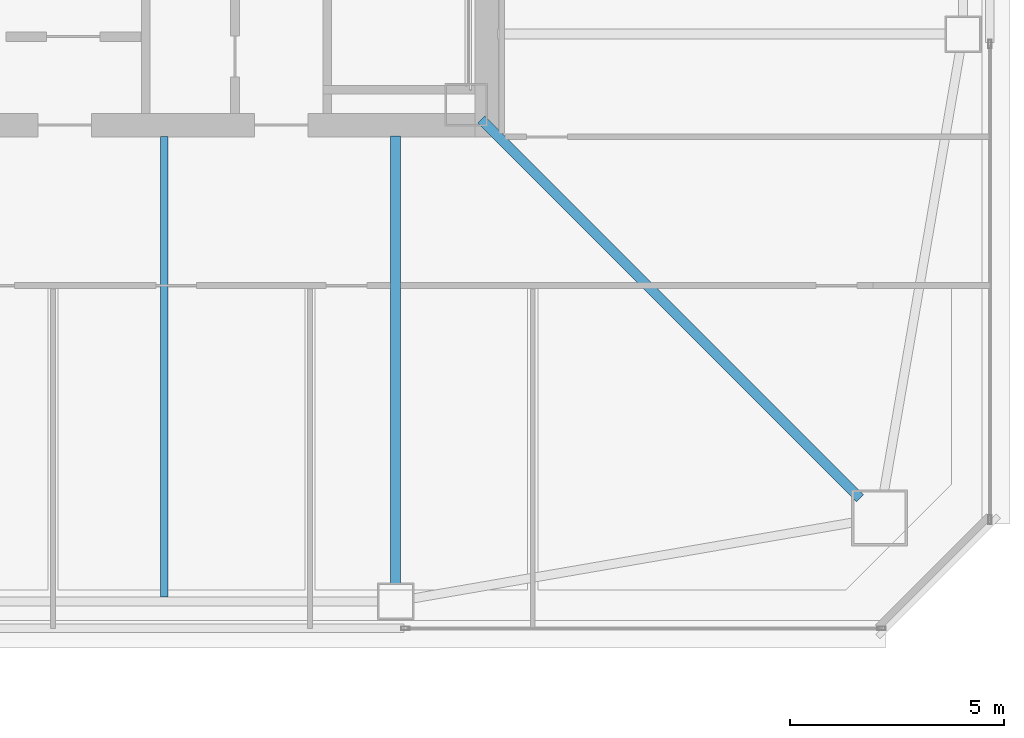
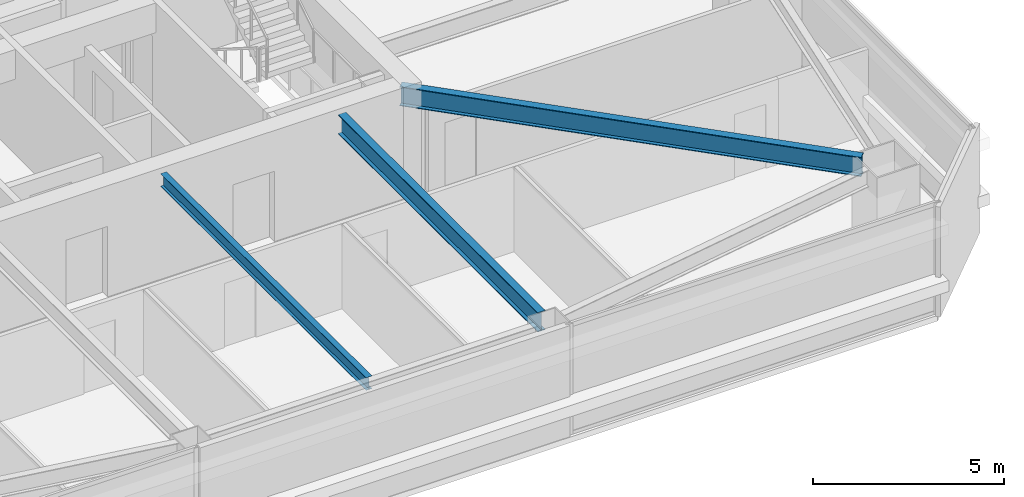
# One storey, part 6 of 41: 3 beams.
"""IFC4 building model written with IfcOpenShell, lengths in metres."""

from ifc_helpers import new_model, si_unit, direction, frame, origin, origin_2d, place, context, subcontext, project, spatial, i_section, extrude, material, material_profile, profile_set, type_object, element, save


model = new_model("IFC4")

# Units and contexts
model_context = context("Model", 3, precision=1e-05, world=origin(), true_north=direction((0.0, 1.0)))
body_context = subcontext(model_context, "Body", "Model", "MODEL_VIEW")
ifc_project = project(units=[si_unit("LENGTHUNIT", "METRE"), si_unit("AREAUNIT", "SQUARE_METRE"), si_unit("VOLUMEUNIT", "CUBIC_METRE"), si_unit("PLANEANGLEUNIT", "RADIAN"), si_unit("MASSUNIT", "GRAM", prefix="KILO")], contexts=[model_context])

# Site, building, storey
site_placement = place(None, origin())
site = spatial("IfcSite", under=ifc_project, at=site_placement, CompositionType="ELEMENT")
building_placement = place(site_placement, origin())
building = spatial("IfcBuilding", under=site, at=building_placement, Name="Tashvorn Skyway Center", CompositionType="ELEMENT")
storey_placement = place(building_placement, frame((0.0, 0.0, 117.949951171875)))
storey = spatial("IfcBuildingStorey", under=building, at=storey_placement, Name="L31", CompositionType="ELEMENT", Elevation=117.949951171875)

# Beams
ifc_material = material(Name="Steel ASTM A992 Grade 50", Category="steel")
ifc_material_profile_1 = material_profile(ifc_material, i_section(OverallWidth=0.22998046875, OverallDepth=0.616943359375, WebThickness=0.01318359375, FlangeThickness=0.022216796875, at=origin_2d()), Name="W24X94")
ifc_profile_set_1 = profile_set([ifc_material_profile_1], Name="Steel ASTM A992 Grade 50")
beam_type_1 = type_object("IfcBeamType", Name="BM-BEAM-W24X94", PredefinedType="BEAM", material=ifc_profile_set_1)
beam_1_placement = place(storey_placement, frame((58.243896484375, 15.756103515625, 3.0615234375), z_axis=(-0.707106781187, 0.707106781187, 0.0), x_axis=(-0.707106781187, -0.707106781187, 0.0)))
element("IfcBeam", 1, at=beam_1_placement, inside=storey, type_object=beam_type_1, Name="Tower 1 L31 Primary Floor Girder MC-SE", PredefinedType="BEAM", context=body_context, shape_type="SweptSolid", body=[
    extrude(i_section(OverallWidth=0.22998046875, OverallDepth=0.616943359375, WebThickness=0.01318359375, FlangeThickness=0.022216796875, at=origin_2d()), origin(), (0.0, 0.0, 1.0), 12.50732421875),
])
beam_2_placement = place(storey_placement, frame((47.39990234375, 13.77001953125, 3.0615234375), z_axis=(0.0, 1.0, 0.0), x_axis=(-1.0, 0.0, 0.0)))
element("IfcBeam", 2, at=beam_2_placement, inside=storey, type_object=beam_type_1, Name="Tower 1 L31 Primary Floor Girder FC-S2", PredefinedType="BEAM", context=body_context, shape_type="SweptSolid", body=[
    extrude(i_section(OverallWidth=0.22998046875, OverallDepth=0.616943359375, WebThickness=0.01318359375, FlangeThickness=0.022216796875, at=origin_2d()), origin(), (0.0, 0.0, 1.0), 10.449951171875),
])
ifc_material_profile_2 = material_profile(ifc_material, i_section(OverallWidth=0.177978515625, OverallDepth=0.406005859375, WebThickness=0.0078125, FlangeThickness=0.0126953125, at=origin_2d()), Name="W16X40")
ifc_profile_set_2 = profile_set([ifc_material_profile_2], Name="Steel ASTM A992 Grade 50")
beam_type_2 = type_object("IfcBeamType", Name="BM-JOIST-W16X40", PredefinedType="JOIST", material=ifc_profile_set_2)
beam_3_placement = place(storey_placement, frame((42.0, 24.2099609375, 3.1669921875), z_axis=(0.0, -1.0, 0.0), x_axis=(1.0, 0.0, 0.0)))
element("IfcBeam", 3, at=beam_3_placement, inside=storey, type_object=beam_type_2, Name="Tower 1 L31 Secondary Composite Joist JS", PredefinedType="JOIST", context=body_context, shape_type="SweptSolid", body=[
    extrude(i_section(OverallWidth=0.177978515625, OverallDepth=0.406005859375, WebThickness=0.0078125, FlangeThickness=0.0126953125, at=origin_2d()), origin(), (0.0, 0.0, 1.0), 10.762451171875),
])

save(model, "model.ifc")
